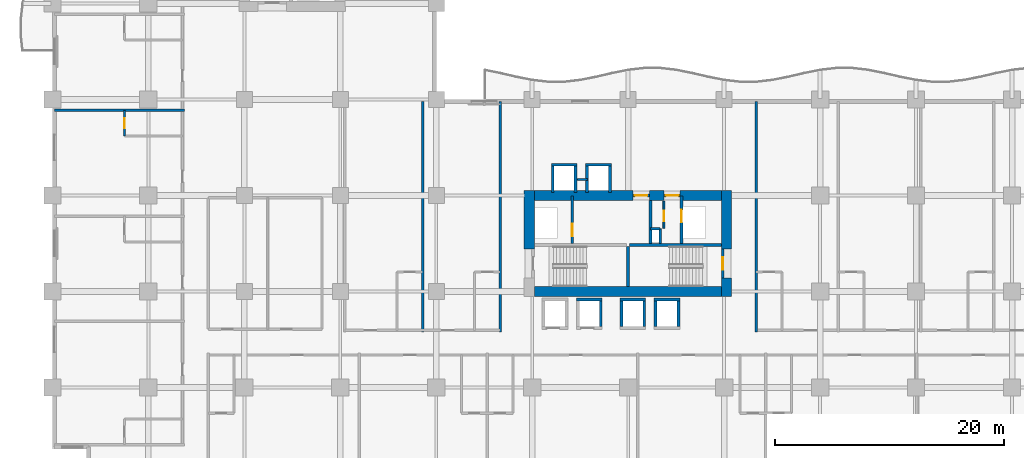
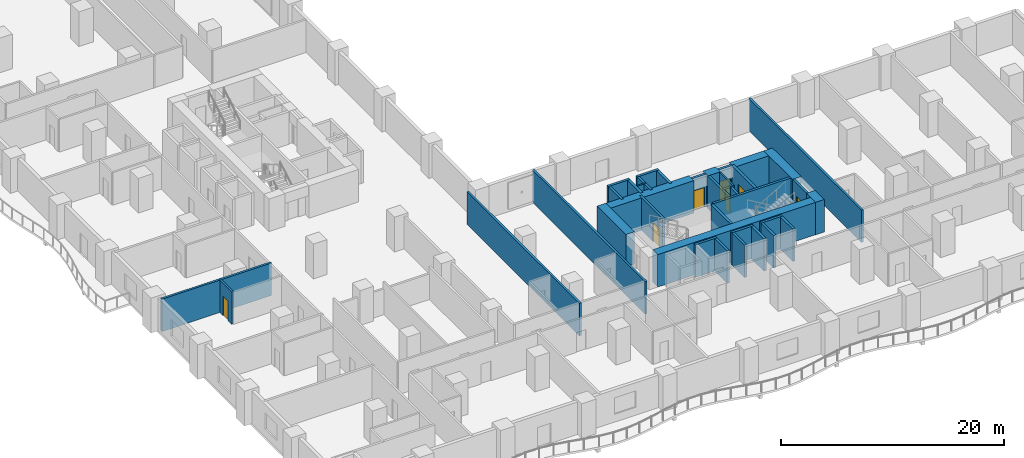
# One storey, part 7 of 22: 38 walls, 7 doors, 7 openings.
"""IFC4 building model written with IfcOpenShell, lengths in metres."""

from ifc_helpers import new_model, si_unit, direction, frame, frame_2d, origin, place, context, subcontext, project, spatial, rectangle, extrude, material, layer, layer_set, type_object, element, fill, save


model = new_model("IFC4")

# Units and contexts
model_context = context("Model", 3, precision=1e-05, world=origin(), true_north=direction((0.0, 1.0)))
body_context = subcontext(model_context, "Body", "Model", "MODEL_VIEW")
ifc_project = project(units=[si_unit("LENGTHUNIT", "METRE"), si_unit("AREAUNIT", "SQUARE_METRE"), si_unit("VOLUMEUNIT", "CUBIC_METRE"), si_unit("PLANEANGLEUNIT", "RADIAN"), si_unit("MASSUNIT", "GRAM", prefix="KILO")], contexts=[model_context])

# Site, building, storey
site_placement = place(None, origin())
site = spatial("IfcSite", under=ifc_project, at=site_placement, CompositionType="ELEMENT")
building_placement = place(site_placement, origin())
building = spatial("IfcBuilding", under=site, at=building_placement, Name="Koriwani Terraces Tower", CompositionType="ELEMENT")
storey_placement = place(building_placement, frame((0.0, 0.0, 43.39990234375)))
storey = spatial("IfcBuildingStorey", under=building, at=storey_placement, Name="L09", CompositionType="ELEMENT", Elevation=43.39990234375)

# Walls
ifc_material_1 = material(Name="Concrete C60/75", Category="concrete")
ifc_layer_1 = layer(ifc_material_1, 0.89990234375, Name="Concrete C60/75")
ifc_layer_set_1 = layer_set([ifc_layer_1], Name="Concrete C60/75")
wall_type_1 = type_object("IfcWallType", Name="WALL_CORE_RC_900", PredefinedType="SHEAR", material=ifc_layer_set_1)
wall_1_placement = place(storey_placement, frame((41.75, 20.5, 0.0), z_axis=(0.0, 0.0, 1.0), x_axis=(0.0, 1.0, 0.0)))
element("IfcWall", 1, at=wall_1_placement, inside=storey, type_object=wall_type_1, Name="L09 East Split Core Shear Wall W2", PredefinedType="SHEAR", context=body_context, shape_type="SweptSolid", body=[
    extrude(rectangle(XDim=5.14990234375, YDim=0.89990234375, at=frame_2d((2.574951171875, 0.0))), origin(), (0.0, 0.0, 1.0), 3.550048828125),
])
wall_2_placement = place(storey_placement, frame((59.0, 16.35009765625, 0.0), z_axis=(0.0, 0.0, 1.0), x_axis=(0.0, 1.0, 0.0)))
element("IfcWall", 2, at=wall_2_placement, inside=storey, type_object=wall_type_1, Name="L09 East Split Core Shear Wall E1", PredefinedType="SHEAR", context=body_context, shape_type="SweptSolid", body=[
    extrude(rectangle(XDim=1.64990234375, YDim=0.89990234375, at=frame_2d((0.824951171875, 0.0))), origin(), (0.0, 0.0, 1.0), 3.550048828125),
])
wall_3_placement = place(storey_placement, frame((59.0, 20.5, 0.0), z_axis=(0.0, 0.0, 1.0), x_axis=(0.0, 1.0, 0.0)))
element("IfcWall", 3, at=wall_3_placement, inside=storey, type_object=wall_type_1, Name="L09 East Split Core Shear Wall E2", PredefinedType="SHEAR", context=body_context, shape_type="SweptSolid", body=[
    extrude(rectangle(XDim=5.14990234375, YDim=0.89990234375, at=frame_2d((2.574951171875, 0.0))), origin(), (0.0, 0.0, 1.0), 3.550048828125),
])
wall_4_placement = place(storey_placement, frame((42.199951171875, 16.800048828125, 0.0), z_axis=(0.0, 0.0, 1.0), x_axis=(1.0, 0.0, 0.0)))
element("IfcWall", 4, at=wall_4_placement, inside=storey, type_object=wall_type_1, Name="L09 East Split Core Shear Wall S1", PredefinedType="SHEAR", context=body_context, shape_type="SweptSolid", body=[
    extrude(rectangle(XDim=16.35009765625, YDim=0.89990234375, at=frame_2d((8.175048828125, 0.0))), origin(), (0.0, 0.0, 1.0), 3.550048828125),
])
wall_5_placement = place(storey_placement, frame((42.199951171875, 25.199951171875, 0.0), z_axis=(0.0, 0.0, 1.0), x_axis=(1.0, 0.0, 0.0)))
element("IfcWall", 5, at=wall_5_placement, inside=storey, type_object=wall_type_1, Name="L09 East Split Core Shear Wall N1", PredefinedType="SHEAR", context=body_context, shape_type="SweptSolid", body=[
    extrude(rectangle(XDim=8.60009765625, YDim=0.89990234375, at=frame_2d((4.300048828125, 0.0))), origin(), (0.0, 0.0, 1.0), 3.550048828125),
])
wall_6_placement = place(storey_placement, frame((52.280029296875, 25.199951171875, 0.0), z_axis=(0.0, 0.0, 1.0), x_axis=(1.0, 0.0, 0.0)))
element("IfcWall", 6, at=wall_6_placement, inside=storey, type_object=wall_type_1, Name="L09 East Split Core Shear Wall N2", PredefinedType="SHEAR", context=body_context, shape_type="SweptSolid", body=[
    extrude(rectangle(XDim=1.27001953125, YDim=0.89990234375, at=frame_2d((0.635009765625, 0.0))), origin(), (0.0, 0.0, 1.0), 3.550048828125),
])
wall_7_placement = place(storey_placement, frame((54.949951171875, 25.199951171875, 0.0), z_axis=(0.0, 0.0, 1.0), x_axis=(1.0, 0.0, 0.0)))
element("IfcWall", 7, at=wall_7_placement, inside=storey, type_object=wall_type_1, Name="L09 East Split Core Shear Wall N3", PredefinedType="SHEAR", context=body_context, shape_type="SweptSolid", body=[
    extrude(rectangle(XDim=3.60009765625, YDim=0.89990234375, at=frame_2d((1.800048828125, 0.0))), origin(), (0.0, 0.0, 1.0), 3.550048828125),
])
ifc_material_2 = material(Name="Autoclaved Cellular Concrete Blockwork", Category="masonry")
ifc_layer_2 = layer(ifc_material_2, 0.219970703125, Name="Autoclaved Cellular Concrete Blockwork")
ifc_layer_set_2 = layer_set([ifc_layer_2], Name="Autoclaved Cellular Concrete Blockwork")
wall_type_2 = type_object("IfcWallType", Name="WALL_DEMISING_220", PredefinedType="PARTITIONING", material=ifc_layer_set_2)
for number, where, z_axis, x_axis, name in (
    (8, (32.39990234375, 13.25, 0.0), (0.0, 0.0, 1.0), (0.0, 1.0, 0.0), "L09 Interior Wall WDEM-L09-SWI-1"),
    (9, (39.199951171875, 13.25, 0.0), (0.0, 0.0, 1.0), (0.0, 1.0, 0.0), "L09 Interior Wall WDEME-L09-SWI"),
):
    element("IfcWall", number, at=place(storey_placement, frame(where, z_axis=z_axis, x_axis=x_axis)), inside=storey, type_object=wall_type_2, Name=name, PredefinedType="PARTITIONING", context=body_context, shape_type="SweptSolid", body=[
        extrude(rectangle(XDim=20.179931640625, YDim=0.219970703125, at=frame_2d((10.08984375, 0.0))), origin(), (0.0, 0.0, 1.0), 3.550048828125),
    ])
wall_8_placement = place(storey_placement, frame((0.199951171875, 32.64990234375, 0.0), z_axis=(0.0, 0.0, 1.0), x_axis=(1.0, 0.0, 0.0)))
element("IfcWall", 10, at=wall_8_placement, inside=storey, type_object=wall_type_2, Name="L09 Interior Wall WDEM-L09-NW-3", PredefinedType="PARTITIONING", context=body_context, shape_type="SweptSolid", body=[
    extrude(rectangle(XDim=11.380126953125, YDim=0.219970703125, at=frame_2d((5.68994140625, 0.0))), origin(), (0.0, 0.0, 1.0), 3.550048828125),
])
wall_9_placement = place(storey_placement, frame((61.60009765625, 13.25, 0.0), z_axis=(0.0, 0.0, 1.0), x_axis=(0.0, 1.0, 0.0)))
element("IfcWall", 11, at=wall_9_placement, inside=storey, type_object=wall_type_2, Name="L09 Interior Wall WDEM-L09-SE-0", PredefinedType="PARTITIONING", context=body_context, shape_type="SweptSolid", body=[
    extrude(rectangle(XDim=20.179931640625, YDim=0.219970703125, at=frame_2d((10.08984375, 0.0))), origin(), (0.0, 0.0, 1.0), 3.550048828125),
])

# Wall, opening, door
ifc_material_3 = material(Name="Fire-Rated Acoustic Gypsum Partition", Category="masonry")
ifc_layer_3 = layer(ifc_material_3, 0.179931640625, Name="Fire-Rated Acoustic Gypsum Partition")
ifc_layer_set_3 = layer_set([ifc_layer_3], Name="Fire-Rated Acoustic Gypsum Partition")
wall_type_3 = type_object("IfcWallType", Name="WALL_PLUMBING_180", PredefinedType="PLUMBINGWALL", material=ifc_layer_set_3)
wall_10_placement = place(storey_placement, frame((6.300048828125, 30.39990234375, 0.0), z_axis=(0.0, 0.0, 1.0), x_axis=(0.0, 1.0, 0.0)))
wall_10 = element("IfcWall", 12, at=wall_10_placement, inside=storey, type_object=wall_type_3, Name="L09 Interior Wall WBTH1-L09-NW-2", PredefinedType="PLUMBINGWALL", context=body_context, shape_type="SweptSolid", body=[
    extrude(rectangle(XDim=2.25, YDim=0.179931640625, at=frame_2d((1.125, 0.0))), origin(), (0.0, 0.0, 1.0), 3.550048828125),
])
opening_1_placement = place(wall_10_placement, frame((0.675048828125, 0.0, 0.0)))
opening_1 = element("IfcOpeningElement", 13, at=opening_1_placement, cuts=wall_10, Name="Opening D-07", PredefinedType="OPENING", context=body_context, shape_type="SweptSolid", body=[
    extrude(rectangle(XDim=0.89990234375, YDim=2.10009765625, at=frame_2d((0.449951171875, 1.050048828125))), frame((0.0, 0.10009765625, 0.0), z_axis=(0.0, -1.0, 0.0), x_axis=(1.0, 0.0, 0.0)), (0.0, 0.0, 1.0), 0.199951171875),
])
ifc_material_4 = material(Name="Architectural Oak Fire Door", Category="wood")
door_type_1 = type_object("IfcDoorType", Name="DOOR_BATH_INT_900X2100", OperationType="NOTDEFINED", PredefinedType="DOOR", material=ifc_material_4)
door_1_placement = place(opening_1_placement, origin())
door_1 = element("IfcDoor", 14, at=door_1_placement, inside=storey, type_object=door_type_1, Name="En-Suite Bathroom 09NW3 Door", OperationType="SINGLE_SWING_RIGHT", OverallHeight=2.10009765625, OverallWidth=0.89990234375, PredefinedType="DOOR", context=body_context, shape_type="SweptSolid", body=[
    extrude(rectangle(XDim=0.89990234375, YDim=2.10009765625, at=frame_2d((0.449951171875, 1.050048828125))), frame((0.0, 0.02490234375, 0.0), z_axis=(0.0, -1.0, 0.0), x_axis=(1.0, 0.0, 0.0)), (0.0, 0.0, 1.0), 0.050048828125),
])
fill(opening_1, door_1)

# Walls
ifc_material_5 = material(Name="Concrete C40/50", Category="concrete")
ifc_layer_4 = layer(ifc_material_5, 0.25, Name="Concrete C40/50")
ifc_layer_set_4 = layer_set([ifc_layer_4], Name="Concrete C40/50")
wall_type_4 = type_object("IfcWallType", Name="WALL_SHAFT_RATED_250", PredefinedType="SOLIDWALL", material=ifc_layer_set_4)
wall_11_placement = place(storey_placement, frame((50.5, 20.875, 0.0), z_axis=(0.0, 0.0, 1.0), x_axis=(1.0, 0.0, 0.0)))
element("IfcWall", 15, at=wall_11_placement, inside=storey, type_object=wall_type_4, Name="L09 East Split Core Web Wall MID2", PredefinedType="SOLIDWALL", context=body_context, shape_type="SweptSolid", body=[
    extrude(rectangle(XDim=8.050048828125, YDim=0.25, at=frame_2d((4.02490234375, 0.0))), origin(), (0.0, 0.0, 1.0), 3.550048828125),
])
wall_12_placement = place(storey_placement, frame((50.375, 17.25, 0.0), z_axis=(0.0, 0.0, 1.0), x_axis=(0.0, 1.0, 0.0)))
element("IfcWall", 16, at=wall_12_placement, inside=storey, type_object=wall_type_4, Name="L09 East Split Core Stair Dividing Wall", PredefinedType="SOLIDWALL", context=body_context, shape_type="SweptSolid", body=[
    extrude(rectangle(XDim=3.5, YDim=0.25, at=frame_2d((1.75, 0.0))), origin(), (0.0, 0.0, 1.0), 3.550048828125),
])

# Wall, opening, door
wall_13_placement = place(storey_placement, frame((58.675048828125, 18.0, 0.0), z_axis=(0.0, 0.0, 1.0), x_axis=(0.0, 1.0, 0.0)))
wall_13 = element("IfcWall", 17, at=wall_13_placement, inside=storey, type_object=wall_type_4, Name="L09 Interior Wall WIN-CE-L09-STE", PredefinedType="SOLIDWALL", context=body_context, shape_type="SweptSolid", body=[
    extrude(rectangle(XDim=2.5, YDim=0.25, at=frame_2d((1.25, 0.0))), origin(), (0.0, 0.0, 1.0), 3.550048828125),
])
opening_2_placement = place(wall_13_placement, frame((0.699951171875, 0.0, 0.0)))
opening_2 = element("IfcOpeningElement", 18, at=opening_2_placement, cuts=wall_13, Name="Opening D-03", PredefinedType="OPENING", context=body_context, shape_type="SweptSolid", body=[
    extrude(rectangle(XDim=1.10009765625, YDim=2.14990234375, at=frame_2d((0.550048828125, 1.074951171875))), frame((0.0, 0.135009765625, 0.0), z_axis=(0.0, -1.0, 0.0), x_axis=(1.0, 0.0, 0.0)), (0.0, 0.0, 1.0), 0.27001953125),
])
ifc_material_6 = material(Name="Steel ASTM A572 Grade 50", Category="steel")
door_type_2 = type_object("IfcDoorType", Name="DOOR_STAIR_FIRE_1100X2150", OperationType="NOTDEFINED", PredefinedType="DOOR", material=ifc_material_6)
door_2_placement = place(opening_2_placement, origin())
door_2 = element("IfcDoor", 19, at=door_2_placement, inside=storey, type_object=door_type_2, Name="L09 Exit Stair ST-E2 Door", OperationType="SINGLE_SWING_LEFT", OverallHeight=2.14990234375, OverallWidth=1.10009765625, PredefinedType="DOOR", context=body_context, shape_type="SweptSolid", body=[
    extrude(rectangle(XDim=1.10009765625, YDim=2.14990234375, at=frame_2d((0.550048828125, 1.074951171875))), frame((0.0, 0.02490234375, 0.0), z_axis=(0.0, -1.0, 0.0), x_axis=(1.0, 0.0, 0.0)), (0.0, 0.0, 1.0), 0.050048828125),
])
fill(opening_2, door_2)

wall_14_placement = place(storey_placement, frame((45.5, 21.0, 0.0), z_axis=(0.0, 0.0, 1.0), x_axis=(0.0, 1.0, 0.0)))
wall_14 = element("IfcWall", 20, at=wall_14_placement, inside=storey, type_object=wall_type_4, Name="L09 Interior Wall WIN-CE-L09-FE", PredefinedType="SOLIDWALL", context=body_context, shape_type="SweptSolid", body=[
    extrude(rectangle(XDim=4.14990234375, YDim=0.25, at=frame_2d((2.074951171875, 0.0))), origin(), (0.0, 0.0, 1.0), 3.550048828125),
])
opening_3_placement = place(wall_14_placement, frame((0.64990234375, 0.0, 0.0)))
opening_3 = element("IfcOpeningElement", 21, at=opening_3_placement, cuts=wall_14, Name="Opening LD-01", PredefinedType="OPENING", context=body_context, shape_type="SweptSolid", body=[
    extrude(rectangle(XDim=1.10009765625, YDim=2.14990234375, at=frame_2d((0.550048828125, 1.074951171875))), frame((0.0, 0.135009765625, 0.0), z_axis=(0.0, -1.0, 0.0), x_axis=(1.0, 0.0, 0.0)), (0.0, 0.0, 1.0), 0.27001953125),
])
door_type_3 = type_object("IfcDoorType", Name="DOOR_LIFT_LANDING_1100X2200", OperationType="NOTDEFINED", PredefinedType="DOOR", material=ifc_material_6)
door_3_placement = place(opening_3_placement, origin())
door_3 = element("IfcDoor", 22, at=door_3_placement, inside=storey, type_object=door_type_3, Name="L09 Firefighting Lift FE-02 Landing Door", OperationType="SLIDING_TO_LEFT", OverallHeight=2.14990234375, OverallWidth=1.10009765625, PredefinedType="DOOR", context=body_context, shape_type="SweptSolid", body=[
    extrude(rectangle(XDim=1.10009765625, YDim=2.14990234375, at=frame_2d((0.550048828125, 1.074951171875))), frame((0.0, 0.02490234375, 0.0), z_axis=(0.0, -1.0, 0.0), x_axis=(1.0, 0.0, 0.0)), (0.0, 0.0, 1.0), 0.050048828125),
])
fill(opening_3, door_3)

wall_15_placement = place(storey_placement, frame((50.800048828125, 25.199951171875, 0.0), z_axis=(0.0, 0.0, 1.0), x_axis=(1.0, 0.0, 0.0)))
wall_15 = element("IfcWall", 23, at=wall_15_placement, inside=storey, type_object=wall_type_4, Name="L09 Interior Wall WIN-CE-L09-NP", PredefinedType="SOLIDWALL", context=body_context, shape_type="SweptSolid", body=[
    extrude(rectangle(XDim=1.47998046875, YDim=0.25, at=frame_2d((0.739990234375, 0.0))), origin(), (0.0, 0.0, 1.0), 3.550048828125),
])
opening_4_placement = place(wall_15_placement, frame((0.179931640625, 0.0, 0.0)))
opening_4 = element("IfcOpeningElement", 24, at=opening_4_placement, cuts=wall_15, Name="Opening D-03", PredefinedType="OPENING", context=body_context, shape_type="SweptSolid", body=[
    extrude(rectangle(XDim=1.10009765625, YDim=2.14990234375, at=frame_2d((0.550048828125, 1.074951171875))), frame((0.0, 0.135009765625, 0.0), z_axis=(0.0, -1.0, 0.0), x_axis=(1.0, 0.0, 0.0)), (0.0, 0.0, 1.0), 0.27001953125),
])
door_4_placement = place(opening_4_placement, origin())
door_4 = element("IfcDoor", 25, at=door_4_placement, inside=storey, type_object=door_type_2, Name="L09 East Firefighting Lobby Door", OperationType="SINGLE_SWING_RIGHT", OverallHeight=2.14990234375, OverallWidth=1.10009765625, PredefinedType="DOOR", context=body_context, shape_type="SweptSolid", body=[
    extrude(rectangle(XDim=1.10009765625, YDim=2.14990234375, at=frame_2d((0.550048828125, 1.074951171875))), frame((0.0, 0.02490234375, 0.0), z_axis=(0.0, -1.0, 0.0), x_axis=(1.0, 0.0, 0.0)), (0.0, 0.0, 1.0), 0.050048828125),
])
fill(opening_4, door_4)

# Wall
wall_16_placement = place(storey_placement, frame((52.340087890625, 21.0, 0.0), z_axis=(0.0, 0.0, 1.0), x_axis=(0.0, 1.0, 0.0)))
element("IfcWall", 26, at=wall_16_placement, inside=storey, type_object=wall_type_4, Name="L09 Interior Wall WIN-CE-L09-FFE", PredefinedType="SOLIDWALL", context=body_context, shape_type="SweptSolid", body=[
    extrude(rectangle(XDim=3.75, YDim=0.25, at=frame_2d((1.875, 0.0))), origin(), (0.0, 0.0, 1.0), 3.550048828125),
])

# Wall, opening, door
wall_17_placement = place(storey_placement, frame((55.050048828125, 21.0, 0.0), z_axis=(0.0, 0.0, 1.0), x_axis=(0.0, 1.0, 0.0)))
wall_17 = element("IfcWall", 27, at=wall_17_placement, inside=storey, type_object=wall_type_4, Name="L09 Interior Wall WIN-CE-L09-SE", PredefinedType="SOLIDWALL", context=body_context, shape_type="SweptSolid", body=[
    extrude(rectangle(XDim=4.14990234375, YDim=0.25, at=frame_2d((2.074951171875, 0.0))), origin(), (0.0, 0.0, 1.0), 3.550048828125),
])
opening_5_placement = place(wall_17_placement, frame((1.85009765625, 0.0, 0.0)))
opening_5 = element("IfcOpeningElement", 28, at=opening_5_placement, cuts=wall_17, Name="Opening LD-01", PredefinedType="OPENING", context=body_context, shape_type="SweptSolid", body=[
    extrude(rectangle(XDim=1.10009765625, YDim=2.14990234375, at=frame_2d((0.550048828125, 1.074951171875))), frame((0.0, 0.135009765625, 0.0), z_axis=(0.0, -1.0, 0.0), x_axis=(1.0, 0.0, 0.0)), (0.0, 0.0, 1.0), 0.27001953125),
])
door_5_placement = place(opening_5_placement, origin())
door_5 = element("IfcDoor", 29, at=door_5_placement, inside=storey, type_object=door_type_3, Name="L09 Goods Lift SE-02 Landing Door", OperationType="SLIDING_TO_LEFT", OverallHeight=2.14990234375, OverallWidth=1.10009765625, PredefinedType="DOOR", context=body_context, shape_type="SweptSolid", body=[
    extrude(rectangle(XDim=1.10009765625, YDim=2.14990234375, at=frame_2d((0.550048828125, 1.074951171875))), frame((0.0, 0.02490234375, 0.0), z_axis=(0.0, -1.0, 0.0), x_axis=(1.0, 0.0, 0.0)), (0.0, 0.0, 1.0), 0.050048828125),
])
fill(opening_5, door_5)

wall_18_placement = place(storey_placement, frame((53.550048828125, 25.199951171875, 0.0), z_axis=(0.0, 0.0, 1.0), x_axis=(1.0, 0.0, 0.0)))
wall_18 = element("IfcWall", 30, at=wall_18_placement, inside=storey, type_object=wall_type_4, Name="L09 Interior Wall WIN-CE-L09-NP2", PredefinedType="SOLIDWALL", context=body_context, shape_type="SweptSolid", body=[
    extrude(rectangle(XDim=1.39990234375, YDim=0.25, at=frame_2d((0.699951171875, 0.0))), origin(), (0.0, 0.0, 1.0), 3.550048828125),
])
opening_6_placement = place(wall_18_placement, frame((0.14990234375, 0.0, 0.0)))
opening_6 = element("IfcOpeningElement", 31, at=opening_6_placement, cuts=wall_18, Name="Opening D-03", PredefinedType="OPENING", context=body_context, shape_type="SweptSolid", body=[
    extrude(rectangle(XDim=1.10009765625, YDim=2.14990234375, at=frame_2d((0.550048828125, 1.074951171875))), frame((0.0, 0.135009765625, 0.0), z_axis=(0.0, -1.0, 0.0), x_axis=(1.0, 0.0, 0.0)), (0.0, 0.0, 1.0), 0.27001953125),
])
door_6_placement = place(opening_6_placement, origin())
door_6 = element("IfcDoor", 32, at=door_6_placement, inside=storey, type_object=door_type_2, Name="L09 East Goods Lift Lobby Door", OperationType="SINGLE_SWING_LEFT", OverallHeight=2.14990234375, OverallWidth=1.10009765625, PredefinedType="DOOR", context=body_context, shape_type="SweptSolid", body=[
    extrude(rectangle(XDim=1.10009765625, YDim=2.14990234375, at=frame_2d((0.550048828125, 1.074951171875))), frame((0.0, 0.02490234375, 0.0), z_axis=(0.0, -1.0, 0.0), x_axis=(1.0, 0.0, 0.0)), (0.0, 0.0, 1.0), 0.050048828125),
])
fill(opening_6, door_6)

# Walls
wall_19_placement = place(storey_placement, frame((53.199951171875, 21.0, 0.0), z_axis=(0.0, 0.0, 1.0), x_axis=(0.0, 1.0, 0.0)))
element("IfcWall", 33, at=wall_19_placement, inside=storey, type_object=wall_type_4, Name="L09 Interior Wall WIN-CE-L09-RS1", PredefinedType="SOLIDWALL", context=body_context, shape_type="SweptSolid", body=[
    extrude(rectangle(XDim=1.300048828125, YDim=0.25, at=frame_2d((0.64990234375, 0.0))), origin(), (0.0, 0.0, 1.0), 3.550048828125),
])
wall_20_placement = place(storey_placement, frame((52.360107421875, 22.300048828125, 0.0), z_axis=(0.0, 0.0, 1.0), x_axis=(1.0, 0.0, 0.0)))
element("IfcWall", 34, at=wall_20_placement, inside=storey, type_object=wall_type_4, Name="L09 Interior Wall WIN-CE-L09-RS2", PredefinedType="SOLIDWALL", context=body_context, shape_type="SweptSolid", body=[
    extrude(rectangle(XDim=0.83984375, YDim=0.25, at=frame_2d((0.419921875, 0.0))), origin(), (0.0, 0.0, 1.0), 3.550048828125),
])
for number, where, z_axis, x_axis, name in (
    (35, (45.875, 16.10009765625, 0.0), (0.0, 0.0, 1.0), (1.0, 0.0, 0.0), "L09 Interior Wall WIN-LF-PE-L4-L09-B"),
    (36, (48.0, 13.72509765625, 0.0), (0.0, 0.0, 1.0), (0.0, 1.0, 0.0), "L09 Interior Wall WIN-LF-PE-L4-L09-E"),
    (37, (49.675048828125, 16.10009765625, 0.0), (0.0, 0.0, 1.0), (1.0, 0.0, 0.0), "L09 Interior Wall WIN-LF-PE-M3-L09-B"),
    (38, (49.800048828125, 13.72509765625, 0.0), (0.0, 0.0, 1.0), (0.0, 1.0, 0.0), "L09 Interior Wall WIN-LF-PE-M3-L09-W"),
    (39, (51.800048828125, 13.72509765625, 0.0), (0.0, 0.0, 1.0), (0.0, 1.0, 0.0), "L09 Interior Wall WIN-LF-PE-M3-L09-E"),
    (40, (52.675048828125, 16.10009765625, 0.0), (0.0, 0.0, 1.0), (1.0, 0.0, 0.0), "L09 Interior Wall WIN-LF-PE-M4-L09-B"),
    (41, (52.800048828125, 13.72509765625, 0.0), (0.0, 0.0, 1.0), (0.0, 1.0, 0.0), "L09 Interior Wall WIN-LF-PE-M4-L09-W"),
    (42, (54.800048828125, 13.72509765625, 0.0), (0.0, 0.0, 1.0), (0.0, 1.0, 0.0), "L09 Interior Wall WIN-LF-PE-M4-L09-E"),
    (43, (43.675048828125, 27.89990234375, 0.0), (0.0, 0.0, 1.0), (1.0, 0.0, 0.0), "L09 Interior Wall WIN-LF-PE-H3-L09-F"),
):
    element("IfcWall", number, at=place(storey_placement, frame(where, z_axis=z_axis, x_axis=x_axis)), inside=storey, type_object=wall_type_4, Name=name, PredefinedType="SOLIDWALL", context=body_context, shape_type="SweptSolid", body=[
        extrude(rectangle(XDim=2.25, YDim=0.25, at=frame_2d((1.125, 0.0))), origin(), (0.0, 0.0, 1.0), 3.550048828125),
    ])
for number, where, z_axis, x_axis, name in (
    (44, (43.800048828125, 25.449951171875, 0.0), (0.0, 0.0, 1.0), (0.0, 1.0, 0.0), "L09 Interior Wall WIN-LF-PE-H3-L09-W"),
    (45, (45.800048828125, 25.449951171875, 0.0), (0.0, 0.0, 1.0), (0.0, 1.0, 0.0), "L09 Interior Wall WIN-LF-PE-H3-L09-E"),
):
    element("IfcWall", number, at=place(storey_placement, frame(where, z_axis=z_axis, x_axis=x_axis)), inside=storey, type_object=wall_type_4, Name=name, PredefinedType="SOLIDWALL", context=body_context, shape_type="SweptSolid", body=[
        extrude(rectangle(XDim=2.324951171875, YDim=0.25, at=frame_2d((1.16259765625, 0.0))), origin(), (0.0, 0.0, 1.0), 3.550048828125),
    ])
wall_21_placement = place(storey_placement, frame((46.675048828125, 27.89990234375, 0.0), z_axis=(0.0, 0.0, 1.0), x_axis=(1.0, 0.0, 0.0)))
element("IfcWall", 46, at=wall_21_placement, inside=storey, type_object=wall_type_4, Name="L09 Interior Wall WIN-LF-PE-H4-L09-F", PredefinedType="SOLIDWALL", context=body_context, shape_type="SweptSolid", body=[
    extrude(rectangle(XDim=2.25, YDim=0.25, at=frame_2d((1.125, 0.0))), origin(), (0.0, 0.0, 1.0), 3.550048828125),
])
for number, where, z_axis, x_axis, name in (
    (47, (46.800048828125, 25.449951171875, 0.0), (0.0, 0.0, 1.0), (0.0, 1.0, 0.0), "L09 Interior Wall WIN-LF-PE-H4-L09-W"),
    (48, (48.800048828125, 25.449951171875, 0.0), (0.0, 0.0, 1.0), (0.0, 1.0, 0.0), "L09 Interior Wall WIN-LF-PE-H4-L09-E"),
):
    element("IfcWall", number, at=place(storey_placement, frame(where, z_axis=z_axis, x_axis=x_axis)), inside=storey, type_object=wall_type_4, Name=name, PredefinedType="SOLIDWALL", context=body_context, shape_type="SweptSolid", body=[
        extrude(rectangle(XDim=2.324951171875, YDim=0.25, at=frame_2d((1.16259765625, 0.0))), origin(), (0.0, 0.0, 1.0), 3.550048828125),
    ])

# Wall, opening, door
ifc_layer_5 = layer(ifc_material_3, 0.159912109375, Name="Fire-Rated Acoustic Gypsum Partition")
ifc_layer_set_5 = layer_set([ifc_layer_5], Name="Fire-Rated Acoustic Gypsum Partition")
wall_type_5 = type_object("IfcWallType", Name="WALL_SUITE_160", PredefinedType="PARTITIONING", material=ifc_layer_set_5)
wall_22_placement = place(storey_placement, frame((53.52001953125, 22.320068359375, 0.0), z_axis=(0.0, 0.0, 1.0), x_axis=(0.0, 1.0, 0.0)))
wall_22 = element("IfcWall", 49, at=wall_22_placement, inside=storey, type_object=wall_type_5, Name="L09 Interior Wall WIN-CE-L09-SV0", PredefinedType="PARTITIONING", context=body_context, shape_type="SweptSolid", body=[
    extrude(rectangle(XDim=2.39990234375, YDim=0.159912109375, at=frame_2d((1.199951171875, 0.0))), origin(), (0.0, 0.0, 1.0), 3.550048828125),
])
opening_7_placement = place(wall_22_placement, frame((0.64990234375, 0.0, 0.0)))
opening_7 = element("IfcOpeningElement", 50, at=opening_7_placement, cuts=wall_22, Name="Opening D-07", PredefinedType="OPENING", context=body_context, shape_type="SweptSolid", body=[
    extrude(rectangle(XDim=0.89990234375, YDim=2.10009765625, at=frame_2d((0.449951171875, 1.050048828125))), frame((0.0, 0.08984375, 0.0), z_axis=(0.0, -1.0, 0.0), x_axis=(1.0, 0.0, 0.0)), (0.0, 0.0, 1.0), 0.179931640625),
])
door_7_placement = place(opening_7_placement, origin())
door_7 = element("IfcDoor", 51, at=door_7_placement, inside=storey, type_object=door_type_1, Name="L09 East Electrical Switch Room Door", OperationType="SINGLE_SWING_RIGHT", OverallHeight=2.10009765625, OverallWidth=0.89990234375, PredefinedType="DOOR", context=body_context, shape_type="SweptSolid", body=[
    extrude(rectangle(XDim=0.89990234375, YDim=2.10009765625, at=frame_2d((0.449951171875, 1.050048828125))), frame((0.0, 0.02490234375, 0.0), z_axis=(0.0, -1.0, 0.0), x_axis=(1.0, 0.0, 0.0)), (0.0, 0.0, 1.0), 0.050048828125),
])
fill(opening_7, door_7)

# Wall
wall_23_placement = place(storey_placement, frame((45.9599609375, 26.60009765625, 0.0), z_axis=(0.0, 0.0, 1.0), x_axis=(1.0, 0.0, 0.0)))
element("IfcWall", 52, at=wall_23_placement, inside=storey, type_object=wall_type_5, Name="L09 Interior Wall WIN-LF-PEH34-MID-L09", PredefinedType="PARTITIONING", context=body_context, shape_type="SweptSolid", body=[
    extrude(rectangle(XDim=0.880126953125, YDim=0.159912109375, at=frame_2d((0.43994140625, 0.0))), origin(), (0.0, 0.0, 1.0), 3.550048828125),
])

save(model, "model.ifc")
